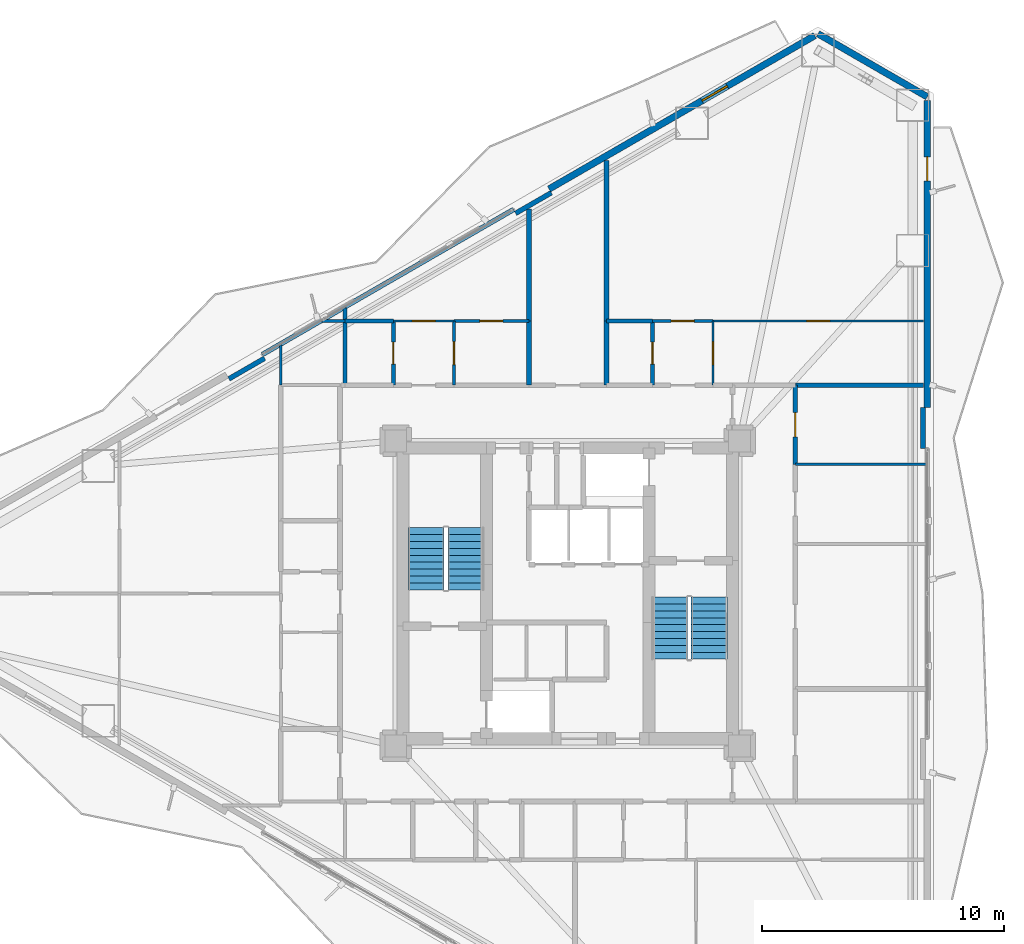
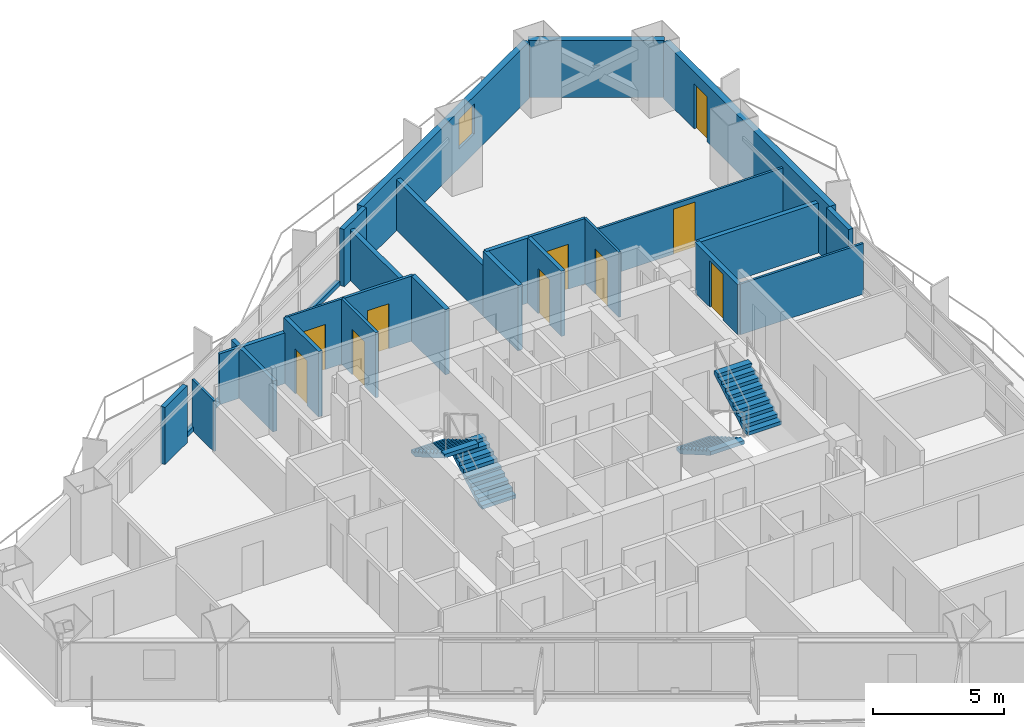
# One storey, part 16 of 19: 27 walls, 10 doors, 4 stair flights, 1 window, 11 openings, 2 elements without a shape of their own.
"""IFC4 building model written with IfcOpenShell, lengths in metres."""

from ifc_helpers import new_model, si_unit, direction, frame, frame_2d, origin, place, context, subcontext, project, spatial, polyline, rectangle, outline, extrude, material, layer, layer_set, type_object, element, fill, aggregate, save


model = new_model("IFC4")

# Units and contexts
model_context = context("Model", 3, precision=1e-05, world=origin(), true_north=direction((0.0, 1.0)))
body_context = subcontext(model_context, "Body", "Model", "MODEL_VIEW")
ifc_project = project(units=[si_unit("LENGTHUNIT", "METRE"), si_unit("AREAUNIT", "SQUARE_METRE"), si_unit("VOLUMEUNIT", "CUBIC_METRE"), si_unit("PLANEANGLEUNIT", "RADIAN"), si_unit("MASSUNIT", "GRAM", prefix="KILO")], contexts=[model_context])

# Site, building, storey
site_placement = place(None, origin())
site = spatial("IfcSite", under=ifc_project, at=site_placement, CompositionType="ELEMENT")
building_placement = place(site_placement, origin())
building = spatial("IfcBuilding", under=site, at=building_placement, Name="Mersakhor Tower and Convention Hall", CompositionType="ELEMENT")
storey_placement = place(building_placement, frame((0.0, 0.0, 45.60009765625)))
storey = spatial("IfcBuildingStorey", under=building, at=storey_placement, Name="L12", CompositionType="ELEMENT", Elevation=45.60009765625)

# Wall
ifc_material_1 = material(Name="Precast concrete C45/55", Category="concrete")
ifc_layer_1 = layer(ifc_material_1, 0.27490234375)
ifc_layer_set_1 = layer_set([ifc_layer_1], Name="Precast concrete C45/55")
wall_type_1 = type_object("IfcWallType", Name="WL-EXT-275", PredefinedType="SOLIDWALL", material=ifc_layer_set_1)
wall_1_placement = place(storey_placement, frame((39.3369140625, 49.865234375, 0.0), z_axis=(0.0, 0.0, 1.0), x_axis=(0.866043601342, -0.499968479581, 0.0)))
element("IfcWall", 1, at=wall_1_placement, inside=storey, type_object=wall_type_1, Name="L12 Chamfer Braced Spandrel Wall C1", PredefinedType="SOLIDWALL", context=body_context, shape_type="SweptSolid", body=[
    extrude(rectangle(XDim=5.211181640625, YDim=0.27490234375, at=frame_2d((2.60546875, 0.0))), origin(), (0.0, 0.0, 1.0), 2.659912109375),
])

# Wall, opening, window
wall_2_placement = place(storey_placement, frame((28.231689453125, 43.453857421875, 0.0), z_axis=(0.0, 0.0, 1.0), x_axis=(0.86603192154, 0.499988710747, 0.0)))
wall_2 = element("IfcWall", 2, at=wall_2_placement, inside=storey, type_object=wall_type_1, Name="L12 Exterior Facade Wall F1-B3", PredefinedType="SOLIDWALL", context=body_context, shape_type="SweptSolid", body=[
    extrude(rectangle(XDim=12.673095703125, YDim=0.27490234375, at=frame_2d((6.33642578125, 0.0))), origin(), (0.0, 0.0, 1.0), 2.659912109375),
])
opening_1_placement = place(wall_2_placement, frame((7.2939453125, 0.0, 0.89990234375)))
opening_1 = element("IfcOpeningElement", 3, at=opening_1_placement, cuts=wall_2, Name="Opening W-01", PredefinedType="OPENING", context=body_context, shape_type="SweptSolid", body=[
    extrude(rectangle(XDim=1.199951171875, YDim=1.39990234375, at=frame_2d((0.60009765625, 0.699951171875))), frame((0.0, 0.1474609375, 0.0), z_axis=(0.0, -1.0, 0.0), x_axis=(1.0, 0.0, 0.0)), (0.0, 0.0, 1.0), 0.294921875),
])
ifc_material_2 = material(Name="Dark solar low-E glazed aluminium window", Category="aluminium")
window_type = type_object("IfcWindowType", Name="WN-RES-120x150", PartitioningType="SINGLE_PANEL", PredefinedType="WINDOW", material=ifc_material_2)
window_placement = place(opening_1_placement, origin())
window = element("IfcWindow", 4, at=window_placement, inside=storey, type_object=window_type, Name="L12 Bedroom Facade Window F1-B3-1", OverallHeight=1.39990234375, OverallWidth=1.199951171875, PartitioningType="SINGLE_PANEL", PredefinedType="WINDOW", context=body_context, shape_type="SweptSolid", body=[
    extrude(rectangle(XDim=1.199951171875, YDim=1.39990234375, at=frame_2d((0.60009765625, 0.699951171875))), frame((0.0, 0.030029296875, 0.0), z_axis=(0.0, -1.0, 0.0), x_axis=(1.0, 0.0, 0.0)), (0.0, 0.0, 1.0), 0.06005859375),
])
fill(opening_1, window)

# Wall, opening, door
wall_3_placement = place(storey_placement, frame((43.85009765625, 47.109619140625, 0.0), z_axis=(0.0, 0.0, 1.0), x_axis=(0.0, -1.0, 0.0)))
wall_3 = element("IfcWall", 5, at=wall_3_placement, inside=storey, type_object=wall_type_1, Name="L12 Exterior Facade Wall F2-B1", PredefinedType="SOLIDWALL", context=body_context, shape_type="SweptSolid", body=[
    extrude(rectangle(XDim=12.673095703125, YDim=0.27490234375, at=frame_2d((6.33642578125, 0.0))), origin(), (0.0, 0.0, 1.0), 2.659912109375),
])
opening_2_placement = place(wall_3_placement, frame((2.324951171875, 0.0, 0.0)))
opening_2 = element("IfcOpeningElement", 6, at=opening_2_placement, cuts=wall_3, Name="Opening BD-01", PredefinedType="OPENING", context=body_context, shape_type="SweptSolid", body=[
    extrude(rectangle(XDim=1.0, YDim=2.10009765625, at=frame_2d((0.5, 1.050048828125))), frame((0.0, 0.1474609375, 0.0), z_axis=(0.0, -1.0, 0.0), x_axis=(1.0, 0.0, 0.0)), (0.0, 0.0, 1.0), 0.294921875),
])
ifc_material_3 = material(Name="Thermally broken dark aluminium and safety glass", Category="aluminium")
door_type_1 = type_object("IfcDoorType", Name="DR-BAL-100x210", OperationType="NOTDEFINED", PredefinedType="DOOR", material=ifc_material_3)
door_1_placement = place(opening_2_placement, origin())
door_1 = element("IfcDoor", 7, at=door_1_placement, inside=storey, type_object=door_type_1, Name="L12 Balcony Terrace Door F2-B1", OperationType="SINGLE_SWING_LEFT", OverallHeight=2.10009765625, OverallWidth=1.0, PredefinedType="DOOR", context=body_context, shape_type="SweptSolid", body=[
    extrude(rectangle(XDim=1.0, YDim=2.10009765625, at=frame_2d((0.5, 1.050048828125))), frame((0.0, 0.02490234375, 0.0), z_axis=(0.0, -1.0, 0.0), x_axis=(1.0, 0.0, 0.0)), (0.0, 0.0, 1.0), 0.050048828125),
])
fill(opening_2, door_1)

# Walls
ifc_material_4 = material(Name="Precast concrete C40/50", Category="concrete")
ifc_layer_2 = layer(ifc_material_4, 0.199951171875)
ifc_layer_set_2 = layer_set([ifc_layer_2], Name="Precast concrete C40/50")
wall_type_2 = type_object("IfcWallType", Name="WL-PAR-200", PredefinedType="PARAPET", material=ifc_layer_set_2)
wall_4_placement = place(storey_placement, frame((16.390380859375, 36.6171875, 0.0), z_axis=(0.0, 0.0, 1.0), x_axis=(0.866027351828, 0.499996625875, 0.0)))
element("IfcWall", 8, at=wall_4_placement, inside=storey, type_object=wall_type_2, Name="L12 Curtain Wall Upstand Sill F1-B2", PredefinedType="PARAPET", context=body_context, shape_type="SweptSolid", body=[
    extrude(rectangle(XDim=11.97314453125, YDim=0.199951171875, at=frame_2d((5.986572265625, 0.0))), origin(), (0.0, 0.0, 1.0), 0.199951171875),
])
for number, where, z_axis, x_axis, name in (
    (9, (15.00830078125, 35.611328125, 0.0), (0.0, 0.0, 1.0), (0.86605165483, 0.499954529098, 0.0), "L12 Column Pier Cladding Wall F1-C1"),
    (10, (26.849609375, 42.447998046875, 0.0), (0.0, 0.0, 1.0), (0.86605165483, 0.499954529098, 0.0), "L12 Column Pier Cladding Wall F1-C2"),
    (11, (43.669921875, 34.4365234375, 0.0), (0.0, 0.0, 1.0), (0.0, -1.0, 0.0), "L12 Column Pier Cladding Wall F2-C1"),
):
    element("IfcWall", number, at=place(storey_placement, frame(where, z_axis=z_axis, x_axis=x_axis)), inside=storey, type_object=wall_type_2, Name=name, PredefinedType="PARAPET", context=body_context, shape_type="SweptSolid", body=[
        extrude(rectangle(XDim=1.699951171875, YDim=0.199951171875, at=frame_2d((0.85009765625, 0.0))), origin(), (0.0, 0.0, 1.0), 2.659912109375),
    ])

# Wall, opening, door
ifc_material_5 = material(Name="Moisture-resistant acoustic drywall studwork", Category="other")
ifc_layer_3 = layer(ifc_material_5, 0.175048828125)
ifc_layer_set_3 = layer_set([ifc_layer_3], Name="Moisture-resistant acoustic drywall studwork")
wall_type_3 = type_object("IfcWallType", Name="WL-PLM-175", PredefinedType="PLUMBINGWALL", material=ifc_layer_set_3)
wall_5_placement = place(storey_placement, frame((21.800048828125, 35.35009765625, 0.0), z_axis=(0.0, 0.0, 1.0), x_axis=(0.0, 1.0, 0.0)))
wall_5 = element("IfcWall", 12, at=wall_5_placement, inside=storey, type_object=wall_type_3, Name="L12 Interior Partition Wall P-068", PredefinedType="PLUMBINGWALL", context=body_context, shape_type="SweptSolid", body=[
    extrude(rectangle(XDim=2.64990234375, YDim=0.175048828125, at=frame_2d((1.324951171875, 0.0))), origin(), (0.0, 0.0, 1.0), 3.039794921875),
])
opening_3_placement = place(wall_5_placement, frame((0.875, 0.0, 0.0)))
opening_3 = element("IfcOpeningElement", 13, at=opening_3_placement, cuts=wall_5, Name="Opening WD-01", PredefinedType="OPENING", context=body_context, shape_type="SweptSolid", body=[
    extrude(rectangle(XDim=0.89990234375, YDim=2.10009765625, at=frame_2d((0.449951171875, 1.050048828125))), frame((0.0, 0.097412109375, 0.0), z_axis=(0.0, -1.0, 0.0), x_axis=(1.0, 0.0, 0.0)), (0.0, 0.0, 1.0), 0.195068359375),
])
ifc_material_6 = material(Name="Solid-core hardwood leaf in painted steel frame", Category="steel")
door_type_2 = type_object("IfcDoorType", Name="DR-INT-WET-090x210", OperationType="NOTDEFINED", PredefinedType="DOOR", material=ifc_material_6)
door_2_placement = place(opening_3_placement, origin())
door_2 = element("IfcDoor", 14, at=door_2_placement, inside=storey, type_object=door_type_2, Name="L12 L12 Flat N1 Apartment Hall to L12 Flat N1 Bathroom Door", OperationType="SINGLE_SWING_RIGHT", OverallHeight=2.10009765625, OverallWidth=0.89990234375, PredefinedType="DOOR", context=body_context, shape_type="SweptSolid", body=[
    extrude(rectangle(XDim=0.89990234375, YDim=2.10009765625, at=frame_2d((0.449951171875, 1.050048828125))), frame((0.0, 0.02490234375, 0.0), z_axis=(0.0, -1.0, 0.0), x_axis=(1.0, 0.0, 0.0)), (0.0, 0.0, 1.0), 0.050048828125),
])
fill(opening_3, door_2)

wall_6_placement = place(storey_placement, frame((32.5, 35.35009765625, 0.0), z_axis=(0.0, 0.0, 1.0), x_axis=(0.0, 1.0, 0.0)))
wall_6 = element("IfcWall", 15, at=wall_6_placement, inside=storey, type_object=wall_type_3, Name="L12 Interior Partition Wall P-071", PredefinedType="PLUMBINGWALL", context=body_context, shape_type="SweptSolid", body=[
    extrude(rectangle(XDim=2.64990234375, YDim=0.175048828125, at=frame_2d((1.324951171875, 0.0))), origin(), (0.0, 0.0, 1.0), 3.039794921875),
])
opening_4_placement = place(wall_6_placement, frame((0.875, 0.0, 0.0)))
opening_4 = element("IfcOpeningElement", 16, at=opening_4_placement, cuts=wall_6, Name="Opening WD-01", PredefinedType="OPENING", context=body_context, shape_type="SweptSolid", body=[
    extrude(rectangle(XDim=0.89990234375, YDim=2.10009765625, at=frame_2d((0.449951171875, 1.050048828125))), frame((0.0, 0.097412109375, 0.0), z_axis=(0.0, -1.0, 0.0), x_axis=(1.0, 0.0, 0.0)), (0.0, 0.0, 1.0), 0.195068359375),
])
door_3_placement = place(opening_4_placement, origin())
door_3 = element("IfcDoor", 17, at=door_3_placement, inside=storey, type_object=door_type_2, Name="L12 L12 Flat N2 Apartment Hall to L12 Flat N2 Bathroom Door", OperationType="SINGLE_SWING_LEFT", OverallHeight=2.10009765625, OverallWidth=0.89990234375, PredefinedType="DOOR", context=body_context, shape_type="SweptSolid", body=[
    extrude(rectangle(XDim=0.89990234375, YDim=2.10009765625, at=frame_2d((0.449951171875, 1.050048828125))), frame((0.0, 0.02490234375, 0.0), z_axis=(0.0, -1.0, 0.0), x_axis=(1.0, 0.0, 0.0)), (0.0, 0.0, 1.0), 0.050048828125),
])
fill(opening_4, door_3)

# Walls
wall_7_placement = place(storey_placement, frame((19.800048828125, 38.0, 0.0), z_axis=(0.0, 0.0, 1.0), x_axis=(1.0, 0.0, 0.0)))
element("IfcWall", 18, at=wall_7_placement, inside=storey, type_object=wall_type_3, Name="L12 Interior Partition Wall P-079", PredefinedType="PLUMBINGWALL", context=body_context, shape_type="SweptSolid", body=[
    extrude(rectangle(XDim=2.0, YDim=0.175048828125, at=frame_2d((1.0, 0.0))), origin(), (0.0, 0.0, 1.0), 2.364990234375),
])
wall_8_placement = place(storey_placement, frame((19.800048828125, 35.35009765625, 0.0), z_axis=(0.0, 0.0, 1.0), x_axis=(0.0, 1.0, 0.0)))
element("IfcWall", 19, at=wall_8_placement, inside=storey, type_object=wall_type_3, Name="L12 Interior Partition Wall P-080", PredefinedType="PLUMBINGWALL", context=body_context, shape_type="SweptSolid", body=[
    extrude(rectangle(XDim=3.194091796875, YDim=0.175048828125, at=frame_2d((1.59716796875, 0.0))), origin(), (0.0, 0.0, 1.0), 2.364990234375),
])
wall_9_placement = place(storey_placement, frame((30.60009765625, 38.0, 0.0), z_axis=(0.0, 0.0, 1.0), x_axis=(1.0, 0.0, 0.0)))
element("IfcWall", 20, at=wall_9_placement, inside=storey, type_object=wall_type_3, Name="L12 Interior Partition Wall P-083", PredefinedType="PLUMBINGWALL", context=body_context, shape_type="SweptSolid", body=[
    extrude(rectangle(XDim=1.89990234375, YDim=0.175048828125, at=frame_2d((0.949951171875, 0.0))), origin(), (0.0, 0.0, 1.0), 3.039794921875),
])

# Wall, opening, door
ifc_material_7 = material(Name="Lightweight gypsum partition", Category="other")
ifc_layer_4 = layer(ifc_material_7, 0.10009765625)
ifc_layer_set_4 = layer_set([ifc_layer_4], Name="Lightweight gypsum partition")
wall_type_4 = type_object("IfcWallType", Name="WL-PRT-100", PredefinedType="PARTITIONING", material=ifc_layer_set_4)
wall_10_placement = place(storey_placement, frame((21.800048828125, 38.0, 0.0), z_axis=(0.0, 0.0, 1.0), x_axis=(1.0, 0.0, 0.0)))
wall_10 = element("IfcWall", 21, at=wall_10_placement, inside=storey, type_object=wall_type_4, Name="L12 Interior Partition Wall P-066", PredefinedType="PARTITIONING", context=body_context, shape_type="SweptSolid", body=[
    extrude(rectangle(XDim=2.5, YDim=0.10009765625, at=frame_2d((1.25, 0.0))), origin(), (0.0, 0.0, 1.0), 3.039794921875),
])
opening_5_placement = place(wall_10_placement, frame((0.77490234375, 0.0, 0.0)))
opening_5 = element("IfcOpeningElement", 22, at=opening_5_placement, cuts=wall_10, Name="Opening RD-01", PredefinedType="OPENING", context=body_context, shape_type="SweptSolid", body=[
    extrude(rectangle(XDim=0.949951171875, YDim=2.10009765625, at=frame_2d((0.47509765625, 1.050048828125))), frame((0.0, 0.06005859375, 0.0), z_axis=(0.0, -1.0, 0.0), x_axis=(1.0, 0.0, 0.0)), (0.0, 0.0, 1.0), 0.1201171875),
])
ifc_material_8 = material(Name="Solid-core hardwood leaf in painted steel frame", Category="steel")
door_type_3 = type_object("IfcDoorType", Name="DR-INT-RM-095x210", OperationType="NOTDEFINED", PredefinedType="DOOR", material=ifc_material_8)
door_4_placement = place(opening_5_placement, origin())
door_4 = element("IfcDoor", 23, at=door_4_placement, inside=storey, type_object=door_type_3, Name="L12 L12 Flat N1 Apartment Hall to L12 Flat N1 Studio Living and Sleeping Room Door", OperationType="SINGLE_SWING_RIGHT", OverallHeight=2.10009765625, OverallWidth=0.949951171875, PredefinedType="DOOR", context=body_context, shape_type="SweptSolid", body=[
    extrude(rectangle(XDim=0.949951171875, YDim=2.10009765625, at=frame_2d((0.47509765625, 1.050048828125))), frame((0.0, 0.02490234375, 0.0), z_axis=(0.0, -1.0, 0.0), x_axis=(1.0, 0.0, 0.0)), (0.0, 0.0, 1.0), 0.050048828125),
])
fill(opening_5, door_4)

wall_11_placement = place(storey_placement, frame((35.0, 38.0, 0.0), z_axis=(0.0, 0.0, 1.0), x_axis=(0.0, -1.0, 0.0)))
wall_11 = element("IfcWall", 24, at=wall_11_placement, inside=storey, type_object=wall_type_4, Name="L12 Interior Partition Wall P-070", PredefinedType="PARTITIONING", context=body_context, shape_type="SweptSolid", body=[
    extrude(rectangle(XDim=2.64990234375, YDim=0.10009765625, at=frame_2d((1.324951171875, 0.0))), origin(), (0.0, 0.0, 1.0), 3.039794921875),
])
opening_6_placement = place(wall_11_placement, frame((0.85009765625, 0.0, 0.0)))
opening_6 = element("IfcOpeningElement", 25, at=opening_6_placement, cuts=wall_11, Name="Opening RD-01", PredefinedType="OPENING", context=body_context, shape_type="SweptSolid", body=[
    extrude(rectangle(XDim=0.949951171875, YDim=2.10009765625, at=frame_2d((0.47509765625, 1.050048828125))), frame((0.0, 0.06005859375, 0.0), z_axis=(0.0, -1.0, 0.0), x_axis=(1.0, 0.0, 0.0)), (0.0, 0.0, 1.0), 0.1201171875),
])
door_5_placement = place(opening_6_placement, origin())
door_5 = element("IfcDoor", 26, at=door_5_placement, inside=storey, type_object=door_type_3, Name="L12 L12 Flat N2 Apartment Hall to L12 Flat N2 Kitchen Door", OperationType="SINGLE_SWING_RIGHT", OverallHeight=2.10009765625, OverallWidth=0.949951171875, PredefinedType="DOOR", context=body_context, shape_type="SweptSolid", body=[
    extrude(rectangle(XDim=0.949951171875, YDim=2.10009765625, at=frame_2d((0.47509765625, 1.050048828125))), frame((0.0, 0.02490234375, 0.0), z_axis=(0.0, -1.0, 0.0), x_axis=(1.0, 0.0, 0.0)), (0.0, 0.0, 1.0), 0.050048828125),
])
fill(opening_6, door_5)

wall_12_placement = place(storey_placement, frame((35.0, 38.0, 0.0), z_axis=(0.0, 0.0, 1.0), x_axis=(1.0, 0.0, 0.0)))
wall_12 = element("IfcWall", 27, at=wall_12_placement, inside=storey, type_object=wall_type_4, Name="L12 Interior Partition Wall P-086", PredefinedType="PARTITIONING", context=body_context, shape_type="SweptSolid", body=[
    extrude(rectangle(XDim=8.6884765625, YDim=0.10009765625, at=frame_2d((4.34423828125, 0.0))), origin(), (0.0, 0.0, 1.0), 2.33740234375),
])
opening_7_placement = place(wall_12_placement, frame((3.869140625, 0.0, 0.0)))
opening_7 = element("IfcOpeningElement", 28, at=opening_7_placement, cuts=wall_12, Name="Opening RD-01", PredefinedType="OPENING", context=body_context, shape_type="SweptSolid", body=[
    extrude(rectangle(XDim=0.949951171875, YDim=2.10009765625, at=frame_2d((0.47509765625, 1.050048828125))), frame((0.0, 0.06005859375, 0.0), z_axis=(0.0, -1.0, 0.0), x_axis=(1.0, 0.0, 0.0)), (0.0, 0.0, 1.0), 0.1201171875),
])
door_6_placement = place(opening_7_placement, origin())
door_6 = element("IfcDoor", 29, at=door_6_placement, inside=storey, type_object=door_type_3, Name="L12 L12 Flat N2 Kitchen to L12 Flat N2 Studio Living and Sleeping Room Door", OperationType="SINGLE_SWING_LEFT", OverallHeight=2.10009765625, OverallWidth=0.949951171875, PredefinedType="DOOR", context=body_context, shape_type="SweptSolid", body=[
    extrude(rectangle(XDim=0.949951171875, YDim=2.10009765625, at=frame_2d((0.47509765625, 1.050048828125))), frame((0.0, 0.02490234375, 0.0), z_axis=(0.0, -1.0, 0.0), x_axis=(1.0, 0.0, 0.0)), (0.0, 0.0, 1.0), 0.050048828125),
])
fill(opening_7, door_6)

# Walls
wall_13_placement = place(storey_placement, frame((38.39990234375, 32.080078125, 0.0), z_axis=(0.0, 0.0, 1.0), x_axis=(1.0, 0.0, 0.0)))
element("IfcWall", 30, at=wall_13_placement, inside=storey, type_object=wall_type_4, Name="L12 Interior Partition Wall P-106", PredefinedType="PARTITIONING", context=body_context, shape_type="SweptSolid", body=[
    extrude(rectangle(XDim=5.4140625, YDim=0.10009765625, at=frame_2d((2.70703125, 0.0))), origin(), (0.0, 0.0, 1.0), 2.364990234375),
])
wall_14_placement = place(storey_placement, frame((17.14990234375, 37.01416015625, 0.0), z_axis=(0.0, 0.0, 1.0), x_axis=(0.0, -1.0, 0.0)))
element("IfcWall", 31, at=wall_14_placement, inside=storey, type_object=wall_type_4, Name="L12 Interior Partition Wall P-126", PredefinedType="PARTITIONING", context=body_context, shape_type="SweptSolid", body=[
    extrude(rectangle(XDim=1.6640625, YDim=0.10009765625, at=frame_2d((0.83203125, 0.0))), origin(), (0.0, 0.0, 1.0), 2.364990234375),
])

# Wall, opening, door
ifc_material_9 = material(Name="Gypsum board acoustic partition", Category="other")
ifc_layer_5 = layer(ifc_material_9, 0.125)
ifc_layer_set_5 = layer_set([ifc_layer_5], Name="Gypsum board acoustic partition")
wall_type_5 = type_object("IfcWallType", Name="WL-PRT-125", PredefinedType="PARTITIONING", material=ifc_layer_set_5)
wall_15_placement = place(storey_placement, frame((24.300048828125, 38.0, 0.0), z_axis=(0.0, 0.0, 1.0), x_axis=(0.0, -1.0, 0.0)))
wall_15 = element("IfcWall", 32, at=wall_15_placement, inside=storey, type_object=wall_type_5, Name="L12 Interior Partition Wall P-067", PredefinedType="PARTITIONING", context=body_context, shape_type="SweptSolid", body=[
    extrude(rectangle(XDim=2.64990234375, YDim=0.125, at=frame_2d((1.324951171875, 0.0))), origin(), (0.0, 0.0, 1.0), 3.039794921875),
])
opening_8_placement = place(wall_15_placement, frame((0.85009765625, 0.0, 0.0)))
opening_8 = element("IfcOpeningElement", 33, at=opening_8_placement, cuts=wall_15, Name="Opening RD-01", PredefinedType="OPENING", context=body_context, shape_type="SweptSolid", body=[
    extrude(rectangle(XDim=0.949951171875, YDim=2.10009765625, at=frame_2d((0.47509765625, 1.050048828125))), frame((0.0, 0.072509765625, 0.0), z_axis=(0.0, -1.0, 0.0), x_axis=(1.0, 0.0, 0.0)), (0.0, 0.0, 1.0), 0.14501953125),
])
door_7_placement = place(opening_8_placement, origin())
door_7 = element("IfcDoor", 34, at=door_7_placement, inside=storey, type_object=door_type_3, Name="L12 L12 Flat N1 Apartment Hall to L12 Flat N1 Kitchen Door", OperationType="SINGLE_SWING_LEFT", OverallHeight=2.10009765625, OverallWidth=0.949951171875, PredefinedType="DOOR", context=body_context, shape_type="SweptSolid", body=[
    extrude(rectangle(XDim=0.949951171875, YDim=2.10009765625, at=frame_2d((0.47509765625, 1.050048828125))), frame((0.0, 0.02490234375, 0.0), z_axis=(0.0, -1.0, 0.0), x_axis=(1.0, 0.0, 0.0)), (0.0, 0.0, 1.0), 0.050048828125),
])
fill(opening_8, door_7)

wall_16_placement = place(storey_placement, frame((32.5, 38.0, 0.0), z_axis=(0.0, 0.0, 1.0), x_axis=(1.0, 0.0, 0.0)))
wall_16 = element("IfcWall", 35, at=wall_16_placement, inside=storey, type_object=wall_type_5, Name="L12 Interior Partition Wall P-069", PredefinedType="PARTITIONING", context=body_context, shape_type="SweptSolid", body=[
    extrude(rectangle(XDim=2.5, YDim=0.125, at=frame_2d((1.25, 0.0))), origin(), (0.0, 0.0, 1.0), 3.039794921875),
])
opening_9_placement = place(wall_16_placement, frame((0.77490234375, 0.0, 0.0)))
opening_9 = element("IfcOpeningElement", 36, at=opening_9_placement, cuts=wall_16, Name="Opening RD-01", PredefinedType="OPENING", context=body_context, shape_type="SweptSolid", body=[
    extrude(rectangle(XDim=0.949951171875, YDim=2.10009765625, at=frame_2d((0.47509765625, 1.050048828125))), frame((0.0, 0.072509765625, 0.0), z_axis=(0.0, -1.0, 0.0), x_axis=(1.0, 0.0, 0.0)), (0.0, 0.0, 1.0), 0.14501953125),
])
door_8_placement = place(opening_9_placement, origin())
door_8 = element("IfcDoor", 37, at=door_8_placement, inside=storey, type_object=door_type_3, Name="L12 L12 Flat N2 Apartment Hall to L12 Flat N2 Studio Living and Sleeping Room Door", OperationType="SINGLE_SWING_LEFT", OverallHeight=2.10009765625, OverallWidth=0.949951171875, PredefinedType="DOOR", context=body_context, shape_type="SweptSolid", body=[
    extrude(rectangle(XDim=0.949951171875, YDim=2.10009765625, at=frame_2d((0.47509765625, 1.050048828125))), frame((0.0, 0.02490234375, 0.0), z_axis=(0.0, -1.0, 0.0), x_axis=(1.0, 0.0, 0.0)), (0.0, 0.0, 1.0), 0.050048828125),
])
fill(opening_9, door_8)

wall_17_placement = place(storey_placement, frame((24.300048828125, 38.0, 0.0), z_axis=(0.0, 0.0, 1.0), x_axis=(1.0, 0.0, 0.0)))
wall_17 = element("IfcWall", 38, at=wall_17_placement, inside=storey, type_object=wall_type_5, Name="L12 Interior Partition Wall P-081", PredefinedType="PARTITIONING", context=body_context, shape_type="SweptSolid", body=[
    extrude(rectangle(XDim=3.099853515625, YDim=0.125, at=frame_2d((1.5498046875, 0.0))), origin(), (0.0, 0.0, 1.0), 3.039794921875),
])
opening_10_placement = place(wall_17_placement, frame((1.074951171875, 0.0, 0.0)))
opening_10 = element("IfcOpeningElement", 39, at=opening_10_placement, cuts=wall_17, Name="Opening RD-01", PredefinedType="OPENING", context=body_context, shape_type="SweptSolid", body=[
    extrude(rectangle(XDim=0.949951171875, YDim=2.10009765625, at=frame_2d((0.47509765625, 1.050048828125))), frame((0.0, 0.072509765625, 0.0), z_axis=(0.0, -1.0, 0.0), x_axis=(1.0, 0.0, 0.0)), (0.0, 0.0, 1.0), 0.14501953125),
])
door_9_placement = place(opening_10_placement, origin())
door_9 = element("IfcDoor", 40, at=door_9_placement, inside=storey, type_object=door_type_3, Name="L12 L12 Flat N1 Kitchen to L12 Flat N1 Studio Living and Sleeping Room Door", OperationType="SINGLE_SWING_RIGHT", OverallHeight=2.10009765625, OverallWidth=0.949951171875, PredefinedType="DOOR", context=body_context, shape_type="SweptSolid", body=[
    extrude(rectangle(XDim=0.949951171875, YDim=2.10009765625, at=frame_2d((0.47509765625, 1.050048828125))), frame((0.0, 0.02490234375, 0.0), z_axis=(0.0, -1.0, 0.0), x_axis=(1.0, 0.0, 0.0)), (0.0, 0.0, 1.0), 0.050048828125),
])
fill(opening_10, door_9)

# Wall
wall_18_placement = place(storey_placement, frame((19.800048828125, 38.0, 0.0), z_axis=(0.0, 0.0, 1.0), x_axis=(-1.0, 0.0, 0.0)))
element("IfcWall", 41, at=wall_18_placement, inside=storey, type_object=wall_type_5, Name="L12 Interior Partition Wall P-109", PredefinedType="PARTITIONING", context=body_context, shape_type="SweptSolid", body=[
    extrude(rectangle(XDim=0.948974609375, YDim=0.125, at=frame_2d((0.474609375, 0.0))), origin(), (0.0, 0.0, 1.0), 2.364990234375),
])

# Wall, opening, door
ifc_material_10 = material(Name="Acoustic concrete blockwork and gypsum board", Category="masonry")
ifc_layer_6 = layer(ifc_material_10, 0.199951171875)
ifc_layer_set_6 = layer_set([ifc_layer_6], Name="Acoustic concrete blockwork and gypsum board")
wall_type_6 = type_object("IfcWallType", Name="WL-PRT-200", PredefinedType="PARTITIONING", material=ifc_layer_set_6)
wall_19_placement = place(storey_placement, frame((38.39990234375, 35.35009765625, 0.0), z_axis=(0.0, 0.0, 1.0), x_axis=(0.0, -1.0, 0.0)))
wall_19 = element("IfcWall", 42, at=wall_19_placement, inside=storey, type_object=wall_type_6, Name="L12 Interior Partition Wall P-059", PredefinedType="PARTITIONING", context=body_context, shape_type="SweptSolid", body=[
    extrude(rectangle(XDim=3.27001953125, YDim=0.199951171875, at=frame_2d((1.635009765625, 0.0))), origin(), (0.0, 0.0, 1.0), 2.33740234375),
])
opening_11_placement = place(wall_19_placement, frame((1.135009765625, 0.0, 0.0)))
opening_11 = element("IfcOpeningElement", 43, at=opening_11_placement, cuts=wall_19, Name="Opening FD-01", PredefinedType="OPENING", context=body_context, shape_type="SweptSolid", body=[
    extrude(rectangle(XDim=1.0, YDim=2.14990234375, at=frame_2d((0.5, 1.074951171875))), frame((0.0, 0.10986328125, 0.0), z_axis=(0.0, -1.0, 0.0), x_axis=(1.0, 0.0, 0.0)), (0.0, 0.0, 1.0), 0.219970703125),
])
ifc_material_11 = material(Name="Fire-rated hardwood leaf and painted steel frame", Category="steel")
door_type_4 = type_object("IfcDoorType", Name="DR-INT-FLT-100x215", OperationType="NOTDEFINED", PredefinedType="DOOR", material=ifc_material_11)
door_10_placement = place(opening_11_placement, origin())
door_10 = element("IfcDoor", 44, at=door_10_placement, inside=storey, type_object=door_type_4, Name="L12 Residential Ring East Corridor to L12 East Wing Shared Study Room Annex Door", OperationType="SINGLE_SWING_LEFT", OverallHeight=2.14990234375, OverallWidth=1.0, PredefinedType="DOOR", context=body_context, shape_type="SweptSolid", body=[
    extrude(rectangle(XDim=1.0, YDim=2.14990234375, at=frame_2d((0.5, 1.074951171875))), frame((0.0, 0.02490234375, 0.0), z_axis=(0.0, -1.0, 0.0), x_axis=(1.0, 0.0, 0.0)), (0.0, 0.0, 1.0), 0.050048828125),
])
fill(opening_11, door_10)

# Walls
for number, where, z_axis, x_axis, name in (
    (45, (27.39990234375, 38.0, 0.0), (0.0, 0.0, 1.0), (0.0, -1.0, 0.0), "L12 Interior Partition Wall P-082"),
    (46, (30.60009765625, 35.35009765625, 0.0), (0.0, 0.0, 1.0), (0.0, 1.0, 0.0), "L12 Interior Partition Wall P-084"),
):
    element("IfcWall", number, at=place(storey_placement, frame(where, z_axis=z_axis, x_axis=x_axis)), inside=storey, type_object=wall_type_6, Name=name, PredefinedType="PARTITIONING", context=body_context, shape_type="SweptSolid", body=[
        extrude(rectangle(XDim=2.64990234375, YDim=0.199951171875, at=frame_2d((1.324951171875, 0.0))), origin(), (0.0, 0.0, 1.0), 3.039794921875),
    ])
wall_20_placement = place(storey_placement, frame((43.6884765625, 35.35009765625, 0.0), z_axis=(0.0, 0.0, 1.0), x_axis=(-1.0, 0.0, 0.0)))
element("IfcWall", 47, at=wall_20_placement, inside=storey, type_object=wall_type_6, Name="L12 Interior Partition Wall P-085", PredefinedType="PARTITIONING", context=body_context, shape_type="SweptSolid", body=[
    extrude(rectangle(XDim=5.28857421875, YDim=0.199951171875, at=frame_2d((2.644287109375, 0.0))), origin(), (0.0, 0.0, 1.0), 2.33740234375),
])
wall_21_placement = place(storey_placement, frame((30.60009765625, 44.634521484375, 0.0), z_axis=(0.0, 0.0, 1.0), x_axis=(0.0, -1.0, 0.0)))
element("IfcWall", 48, at=wall_21_placement, inside=storey, type_object=wall_type_6, Name="L12 Interior Partition Wall P-100", PredefinedType="PARTITIONING", context=body_context, shape_type="SweptSolid", body=[
    extrude(rectangle(XDim=6.634521484375, YDim=0.199951171875, at=frame_2d((3.3173828125, 0.0))), origin(), (0.0, 0.0, 1.0), 2.364990234375),
])
wall_22_placement = place(storey_placement, frame((27.39990234375, 38.0, 0.0), z_axis=(0.0, 0.0, 1.0), x_axis=(0.0, 1.0, 0.0)))
element("IfcWall", 49, at=wall_22_placement, inside=storey, type_object=wall_type_6, Name="L12 Interior Partition Wall P-101", PredefinedType="PARTITIONING", context=body_context, shape_type="SweptSolid", body=[
    extrude(rectangle(XDim=4.62255859375, YDim=0.199951171875, at=frame_2d((2.311279296875, 0.0))), origin(), (0.0, 0.0, 1.0), 2.364990234375),
])

# Stair, stair flights
ifc_material_12 = material(Name="Concrete C45/55", Category="concrete")
stair_type = type_object("IfcStairType", Name="ST-TWR-20R", PredefinedType="HALF_TURN_STAIR", material=ifc_material_12)
stair_1_placement = place(storey_placement, origin())
stair_1 = element("IfcStair", 50, at=stair_1_placement, inside=storey, type_object=stair_type, Name="L12 Tower Protected Exit Stair ST-1", PredefinedType="HALF_TURN_STAIR")
ifc_material_13 = material(Name="Concrete C45/55", Category="concrete")
stair_flight_type = type_object("IfcStairFlightType", Name="SFL-TWR-20R", PredefinedType="STRAIGHT", material=ifc_material_13)
stair_flight_1_placement = place(storey_placement, frame((24.800048828125, 26.89990234375, 0.0), z_axis=(0.0, 0.0, 1.0), x_axis=(0.0, 1.0, 0.0)))
stair_flight_1 = element("IfcStairFlight", 51, at=stair_flight_1_placement, type_object=stair_flight_type, Name="ST-1 flight 1", NumberOfRisers=10, NumberOfTreads=9, PredefinedType="STRAIGHT", RiserHeight=0.165, TreadLength=0.285, context=body_context, shape_type="SweptSolid", body=[
    extrude(outline(polyline([(0.0, 0.0), (0.0, 0.1650390625), (0.284912109375, 0.1650390625), (0.284912109375, 0.330078125), (0.570068359375, 0.330078125), (0.570068359375, 0.4951171875), (0.85498046875, 0.4951171875), (0.85498046875, 0.659912109375), (1.139892578125, 0.659912109375), (1.139892578125, 0.824951171875), (1.425048828125, 0.824951171875), (1.425048828125, 0.989990234375), (1.7099609375, 0.989990234375), (1.7099609375, 1.155029296875), (1.9951171875, 1.155029296875), (1.9951171875, 1.320068359375), (2.280029296875, 1.320068359375), (2.280029296875, 1.485107421875), (2.56494140625, 1.485107421875), (2.56494140625, 1.64990234375), (2.56494140625, 1.311767578125), (0.299072265625, 0.0), (0.0, 0.0)])), frame((0.0, 0.75, 0.0), z_axis=(0.0, -1.0, 0.0), x_axis=(1.0, 0.0, 0.0)), (0.0, 0.0, 1.0), 1.5),
])
stair_flight_2_placement = place(storey_placement, frame((23.14990234375, 29.465087890625, 1.64990234375), z_axis=(0.0, 0.0, 1.0), x_axis=(0.0, -1.0, 0.0)))
stair_flight_2 = element("IfcStairFlight", 52, at=stair_flight_2_placement, type_object=stair_flight_type, Name="ST-1 flight 2", NumberOfRisers=10, NumberOfTreads=9, PredefinedType="STRAIGHT", RiserHeight=0.165, TreadLength=0.285, context=body_context, shape_type="SweptSolid", body=[
    extrude(outline(polyline([(0.0, 0.0), (0.0, 0.1650390625), (0.284912109375, 0.1650390625), (0.284912109375, 0.330078125), (0.570068359375, 0.330078125), (0.570068359375, 0.4951171875), (0.85498046875, 0.4951171875), (0.85498046875, 0.659912109375), (1.139892578125, 0.659912109375), (1.139892578125, 0.824951171875), (1.425048828125, 0.824951171875), (1.425048828125, 0.989990234375), (1.7099609375, 0.989990234375), (1.7099609375, 1.155029296875), (1.9951171875, 1.155029296875), (1.9951171875, 1.320068359375), (2.280029296875, 1.320068359375), (2.280029296875, 1.485107421875), (2.56494140625, 1.485107421875), (2.56494140625, 1.64990234375), (2.56494140625, 1.311767578125), (0.299072265625, 0.0), (0.0, 0.0)])), frame((0.0, 0.75, 0.0), z_axis=(0.0, -1.0, 0.0), x_axis=(1.0, 0.0, 0.0)), (0.0, 0.0, 1.0), 1.5),
])
aggregate(stair_1, [stair_flight_1, stair_flight_2])

stair_2_placement = place(storey_placement, origin())
stair_2 = element("IfcStair", 53, at=stair_2_placement, inside=storey, type_object=stair_type, Name="L12 Tower Protected Exit Stair ST-2", PredefinedType="HALF_TURN_STAIR")
stair_flight_3_placement = place(storey_placement, frame((33.199951171875, 26.60009765625, 0.0), z_axis=(0.0, 0.0, 1.0), x_axis=(0.0, -1.0, 0.0)))
stair_flight_3 = element("IfcStairFlight", 54, at=stair_flight_3_placement, type_object=stair_flight_type, Name="ST-2 flight 1", NumberOfRisers=10, NumberOfTreads=9, PredefinedType="STRAIGHT", RiserHeight=0.165, TreadLength=0.285, context=body_context, shape_type="SweptSolid", body=[
    extrude(outline(polyline([(0.0, 0.0), (0.0, 0.1650390625), (0.284912109375, 0.1650390625), (0.284912109375, 0.330078125), (0.570068359375, 0.330078125), (0.570068359375, 0.4951171875), (0.85498046875, 0.4951171875), (0.85498046875, 0.659912109375), (1.139892578125, 0.659912109375), (1.139892578125, 0.824951171875), (1.425048828125, 0.824951171875), (1.425048828125, 0.989990234375), (1.7099609375, 0.989990234375), (1.7099609375, 1.155029296875), (1.9951171875, 1.155029296875), (1.9951171875, 1.320068359375), (2.280029296875, 1.320068359375), (2.280029296875, 1.485107421875), (2.56494140625, 1.485107421875), (2.56494140625, 1.64990234375), (2.56494140625, 1.311767578125), (0.299072265625, 0.0), (0.0, 0.0)])), frame((0.0, 0.75, 0.0), z_axis=(0.0, -1.0, 0.0), x_axis=(1.0, 0.0, 0.0)), (0.0, 0.0, 1.0), 1.5),
])
stair_flight_4_placement = place(storey_placement, frame((34.85009765625, 24.034912109375, 1.64990234375), z_axis=(0.0, 0.0, 1.0), x_axis=(0.0, 1.0, 0.0)))
stair_flight_4 = element("IfcStairFlight", 55, at=stair_flight_4_placement, type_object=stair_flight_type, Name="ST-2 flight 2", NumberOfRisers=10, NumberOfTreads=9, PredefinedType="STRAIGHT", RiserHeight=0.165, TreadLength=0.285, context=body_context, shape_type="SweptSolid", body=[
    extrude(outline(polyline([(0.0, 0.0), (0.0, 0.1650390625), (0.284912109375, 0.1650390625), (0.284912109375, 0.330078125), (0.570068359375, 0.330078125), (0.570068359375, 0.4951171875), (0.85498046875, 0.4951171875), (0.85498046875, 0.659912109375), (1.139892578125, 0.659912109375), (1.139892578125, 0.824951171875), (1.425048828125, 0.824951171875), (1.425048828125, 0.989990234375), (1.7099609375, 0.989990234375), (1.7099609375, 1.155029296875), (1.9951171875, 1.155029296875), (1.9951171875, 1.320068359375), (2.280029296875, 1.320068359375), (2.280029296875, 1.485107421875), (2.56494140625, 1.485107421875), (2.56494140625, 1.64990234375), (2.56494140625, 1.311767578125), (0.299072265625, 0.0), (0.0, 0.0)])), frame((0.0, 0.75, 0.0), z_axis=(0.0, -1.0, 0.0), x_axis=(1.0, 0.0, 0.0)), (0.0, 0.0, 1.0), 1.5),
])
aggregate(stair_2, [stair_flight_3, stair_flight_4])

save(model, "model.ifc")
